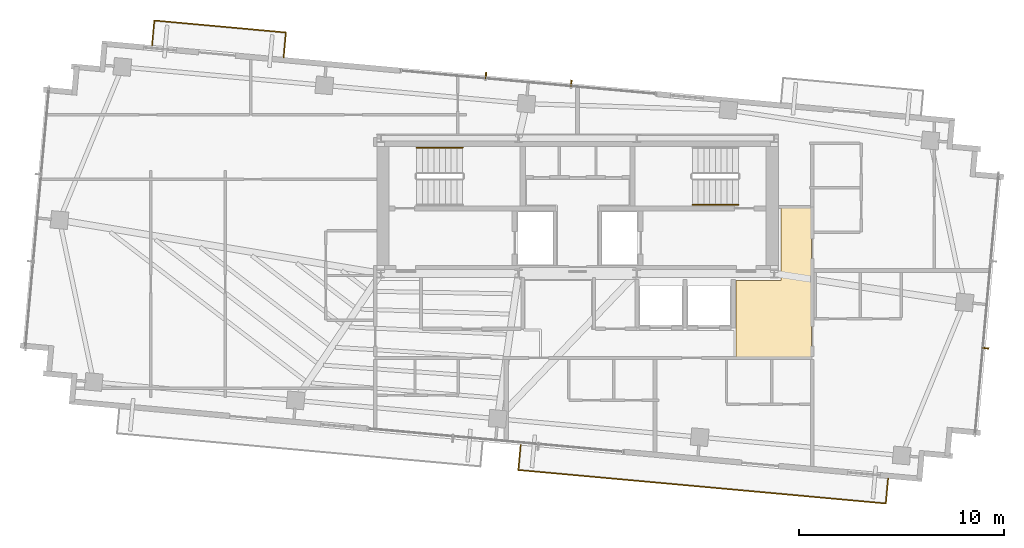
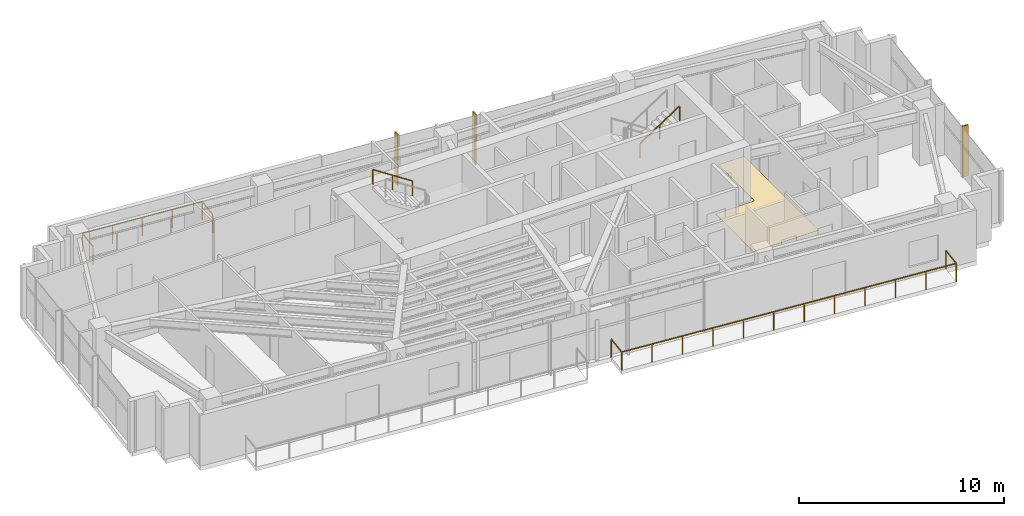
# One storey, part 21 of 22: 4 railings, 3 shading devices, 1 covering.
"""IFC4 building model written with IfcOpenShell, lengths in metres."""

from ifc_helpers import new_model, si_unit, direction, frame, origin, origin_2d, place, context, subcontext, project, spatial, polyline, rectangle, outline, extrude, source, transform, mapped, material, layer, layer_set, type_object, type_shapes, element, save


model = new_model("IFC4")

# Units and contexts
model_context = context("Model", 3, precision=1e-05, world=origin(), true_north=direction((0.0, 1.0)))
body_context = subcontext(model_context, "Body", "Model", "MODEL_VIEW")
ifc_project = project(units=[si_unit("LENGTHUNIT", "METRE"), si_unit("AREAUNIT", "SQUARE_METRE"), si_unit("VOLUMEUNIT", "CUBIC_METRE"), si_unit("PLANEANGLEUNIT", "RADIAN"), si_unit("MASSUNIT", "GRAM", prefix="KILO")], contexts=[model_context])

# Site, building, storey
site_placement = place(None, origin())
site = spatial("IfcSite", under=ifc_project, at=site_placement, CompositionType="ELEMENT")
building_placement = place(site_placement, origin())
building = spatial("IfcBuilding", under=site, at=building_placement, Name="Astriad Promenade Condominiums", CompositionType="ELEMENT")
storey_placement = place(building_placement, frame((0.0, 0.0, 233.10009765625)))
storey = spatial("IfcBuildingStorey", under=building, at=storey_placement, Name="L67", CompositionType="ELEMENT", Elevation=233.10009765625)

# Covering
ifc_material_1 = material(Name="Polished Lakefront Terrazzo Flooring")
ifc_layer = layer(ifc_material_1, 0.02001953125)
ifc_layer_set = layer_set([ifc_layer], Name="Polished Lakefront Terrazzo Flooring")
covering_type = type_object("IfcCoveringType", Name="COV-FLOR-TERRAZZO-20", PredefinedType="FLOORING", material=ifc_layer_set)
covering_placement = place(storey_placement, origin())
element("IfcCovering", 1, at=covering_placement, inside=storey, type_object=covering_type, Name="FLR-L67-COR-2", PredefinedType="FLOORING", context=body_context, shape_type="SweptSolid", body=[
    extrude(outline(polyline([(43.72998046875, 14.62353515625), (43.73095703125, 14.62451171875), (43.7333984375, 14.627685546875), (43.7353515625, 14.631103515625), (43.737060546875, 14.634765625), (43.73828125, 14.638427734375), (43.7392578125, 14.64208984375), (43.73974609375, 14.64599609375), (43.739990234375, 14.64990234375), (43.739990234375, 17.06005859375), (45.89990234375, 17.06005859375), (45.90380859375, 17.060302734375), (45.90771484375, 17.060791015625), (45.91162109375, 17.061767578125), (45.915283203125, 17.06298828125), (45.9189453125, 17.064697265625), (45.922119140625, 17.066650390625), (45.92529296875, 17.069091796875), (45.92822265625, 17.07177734375), (45.930908203125, 17.07470703125), (45.933349609375, 17.077880859375), (45.935302734375, 17.0810546875), (45.93701171875, 17.084716796875), (45.938232421875, 17.08837890625), (45.939208984375, 17.09228515625), (45.939697265625, 17.09619140625), (45.93994140625, 17.10009765625), (45.93994140625, 20.610107421875), (47.409912109375, 20.610107421875), (47.409912109375, 13.320068359375), (43.72998046875, 13.320068359375), (43.72998046875, 14.62353515625)])), origin(), (0.0, 0.0, 1.0), 0.02001953125),
])

# Shading devices
ifc_material_2 = material(Name="Anodised aluminium 6063-T6 Black Fin", Category="aluminium")
shading_device_type = type_object("IfcShadingDeviceType", Name="FIN-BLACK-260", PredefinedType="USERDEFINED", material=ifc_material_2)
shared_shape_1 = source(origin(), body_context, "Body", "SweptSolid", [
    extrude(rectangle(XDim=0.06494140625, YDim=0.320068359375, at=origin_2d()), origin(), (0.0, 0.0, 1.0), 3.0400390625),
])
type_shapes(shading_device_type, [shared_shape_1])
for number, where, z_axis, x_axis, name in (
    (2, (31.526123046875, 27.062744140625, 0.0), (0.0, 0.0, 1.0), (0.995884398616, -0.090632580198, 0.0), "CW-L67-N-FIN-01"),
    (3, (35.68896484375, 26.683837890625, 0.0), (0.0, 0.0, 1.0), (0.995884398616, -0.090632580198, 0.0), "CW-L67-N-FIN-02"),
    (4, (55.920166015625, 13.753662109375, 0.0), (0.0, 0.0, 1.0), (-0.090632580198, -0.995884398616, 0.0), "CW-L67-E-FIN-02"),
):
    element("IfcShadingDevice", number, at=place(storey_placement, frame(where, z_axis=z_axis, x_axis=x_axis)), inside=storey, type_object=shading_device_type, Name=name, ObjectType="FIN", PredefinedType="USERDEFINED", context=body_context, shape_type="MappedRepresentation", body=[
        mapped(shared_shape_1, transform((0.0, 0.0, 0.0), scale=1.0)),
    ])

# Railings
ifc_material_3 = material(Name="Laminated Glass and Stainless Steel Balustrade", Category="steel")
railing_type_1 = type_object("IfcRailingType", Name="GRD-BALC-1120", PredefinedType="BALUSTRADE", material=ifc_material_3)
shared_shape_2 = source(origin(), body_context, "Body", "SweptSolid", [
    extrude(rectangle(XDim=0.048095703125, YDim=0.048095703125, at=origin_2d()), frame((0.0, 0.0, 1.09619140625), z_axis=(-0.09066206129, -0.995881715186, 0.0), x_axis=(0.995881715186, -0.09066206129, 0.0)), (0.0, 0.0, 1.0), 1.219970703125),
    extrude(rectangle(XDim=0.048095703125, YDim=0.048095703125, at=origin_2d()), frame((-0.110595703125, -1.21484375, 1.09619140625), z_axis=(0.995883534543, -0.090642074255, 0.0), x_axis=(0.090642074255, 0.995883534543, 0.0)), (0.0, 0.0, 1.0), 18.01123046875),
    extrude(rectangle(XDim=0.048095703125, YDim=0.048095703125, at=origin_2d()), frame((17.826416015625, -2.847412109375, 1.09619140625), z_axis=(0.090643994769, 0.995883359743, 0.0), x_axis=(-0.995883359743, 0.090643994769, 0.0)), (0.0, 0.0, 1.0), 1.22021484375),
    extrude(rectangle(XDim=0.0419921875, YDim=0.0419921875, at=origin_2d()), origin(), (0.0, 0.0, 1.0), 1.072021484375),
    extrude(rectangle(XDim=0.0419921875, YDim=0.0419921875, at=origin_2d()), frame((-0.110595703125, -1.21484375, 0.0)), (0.0, 0.0, 1.0), 1.072021484375),
    extrude(rectangle(XDim=0.0419921875, YDim=0.0419921875, at=origin_2d()), frame((1.52001953125, -1.36328125, 0.0)), (0.0, 0.0, 1.0), 1.072021484375),
    extrude(rectangle(XDim=0.0419921875, YDim=0.0419921875, at=origin_2d()), frame((3.150634765625, -1.51171875, 0.0)), (0.0, 0.0, 1.0), 1.072021484375),
    extrude(rectangle(XDim=0.0419921875, YDim=0.0419921875, at=origin_2d()), frame((4.78125, -1.66015625, 0.0)), (0.0, 0.0, 1.0), 1.072021484375),
    extrude(rectangle(XDim=0.0419921875, YDim=0.0419921875, at=origin_2d()), frame((6.411865234375, -1.80859375, 0.0)), (0.0, 0.0, 1.0), 1.072021484375),
    extrude(rectangle(XDim=0.0419921875, YDim=0.0419921875, at=origin_2d()), frame((8.04248046875, -1.95703125, 0.0)), (0.0, 0.0, 1.0), 1.072021484375),
    extrude(rectangle(XDim=0.0419921875, YDim=0.0419921875, at=origin_2d()), frame((9.67333984375, -2.105224609375, 0.0)), (0.0, 0.0, 1.0), 1.072021484375),
    extrude(rectangle(XDim=0.0419921875, YDim=0.0419921875, at=origin_2d()), frame((11.303955078125, -2.253662109375, 0.0)), (0.0, 0.0, 1.0), 1.072021484375),
    extrude(rectangle(XDim=0.0419921875, YDim=0.0419921875, at=origin_2d()), frame((12.9345703125, -2.402099609375, 0.0)), (0.0, 0.0, 1.0), 1.072021484375),
    extrude(rectangle(XDim=0.0419921875, YDim=0.0419921875, at=origin_2d()), frame((14.565185546875, -2.550537109375, 0.0)), (0.0, 0.0, 1.0), 1.072021484375),
    extrude(rectangle(XDim=0.0419921875, YDim=0.0419921875, at=origin_2d()), frame((16.19580078125, -2.698974609375, 0.0)), (0.0, 0.0, 1.0), 1.072021484375),
    extrude(rectangle(XDim=0.0419921875, YDim=0.0419921875, at=origin_2d()), frame((17.826416015625, -2.847412109375, 0.0)), (0.0, 0.0, 1.0), 1.072021484375),
    extrude(rectangle(XDim=0.0419921875, YDim=0.0419921875, at=origin_2d()), frame((17.93701171875, -1.63232421875, 0.0)), (0.0, 0.0, 1.0), 1.072021484375),
])
railing_1_placement = place(storey_placement, frame((33.22021484375, 9.02490234375, 0.0)))
element("IfcRailing", 5, at=railing_1_placement, inside=storey, type_object=railing_type_1, Name="GRD-BALC-L67-SE", PredefinedType="BALUSTRADE", context=body_context, shape_type="MappedRepresentation", body=[
    mapped(shared_shape_2, transform((0.0, 0.0, 0.0), scale=1.0)),
])
shared_shape_3 = source(origin(), body_context, "Body", "SweptSolid", [
    extrude(rectangle(XDim=0.048095703125, YDim=0.048095703125, at=origin_2d()), frame((0.0, 0.0, 1.09619140625), z_axis=(0.090643994769, 0.995883359743, 0.0), x_axis=(-0.995883359743, 0.090643994769, 0.0)), (0.0, 0.0, 1.0), 1.22021484375),
    extrude(rectangle(XDim=0.048095703125, YDim=0.048095703125, at=origin_2d()), frame((0.110595703125, 1.215087890625, 1.09619140625), z_axis=(-0.995887310487, 0.090600578427, 0.0), x_axis=(-0.090600578427, -0.995887310487, 0.0)), (0.0, 0.0, 1.0), 6.451171875),
    extrude(rectangle(XDim=0.048095703125, YDim=0.048095703125, at=origin_2d()), frame((-6.31396484375, 1.799560546875, 1.09619140625), z_axis=(-0.090463563939, -0.99589976584, 0.0), x_axis=(0.99589976584, -0.090463563939, 0.0)), (0.0, 0.0, 1.0), 1.2197265625),
    extrude(rectangle(XDim=0.0419921875, YDim=0.0419921875, at=origin_2d()), origin(), (0.0, 0.0, 1.0), 1.072021484375),
    extrude(rectangle(XDim=0.0419921875, YDim=0.0419921875, at=origin_2d()), frame((0.110595703125, 1.215087890625, 0.0)), (0.0, 0.0, 1.0), 1.072021484375),
    extrude(rectangle(XDim=0.0419921875, YDim=0.0419921875, at=origin_2d()), frame((-1.49560546875, 1.361328125, 0.0)), (0.0, 0.0, 1.0), 1.072021484375),
    extrude(rectangle(XDim=0.0419921875, YDim=0.0419921875, at=origin_2d()), frame((-3.1015625, 1.50732421875, 0.0)), (0.0, 0.0, 1.0), 1.072021484375),
    extrude(rectangle(XDim=0.0419921875, YDim=0.0419921875, at=origin_2d()), frame((-4.707763671875, 1.6533203125, 0.0)), (0.0, 0.0, 1.0), 1.072021484375),
    extrude(rectangle(XDim=0.0419921875, YDim=0.0419921875, at=origin_2d()), frame((-6.31396484375, 1.799560546875, 0.0)), (0.0, 0.0, 1.0), 1.072021484375),
    extrude(rectangle(XDim=0.0419921875, YDim=0.0419921875, at=origin_2d()), frame((-6.42431640625, 0.584716796875, 0.0)), (0.0, 0.0, 1.0), 1.072021484375),
])
type_shapes(railing_type_1, [shared_shape_2, shared_shape_3])
railing_2_placement = place(storey_placement, frame((21.656005859375, 27.950927734375, 0.0)))
element("IfcRailing", 6, at=railing_2_placement, inside=storey, type_object=railing_type_1, Name="GRD-BALC-L67-NW", PredefinedType="BALUSTRADE", context=body_context, shape_type="MappedRepresentation", body=[
    mapped(shared_shape_3, transform((0.0, 0.0, 0.0), scale=1.0)),
])
ifc_material_4 = material(Name="Brushed Stainless Steel Handrail", Category="steel")
railing_type_2 = type_object("IfcRailingType", Name="HRL-STAIR-920", PredefinedType="HANDRAIL", material=ifc_material_4)
shared_shape_4 = source(origin(), body_context, "Body", "SweptSolid", [
    extrude(rectangle(XDim=0.048095703125, YDim=0.048095703125, at=origin_2d()), frame((0.0, 0.0, 0.8759765625), z_axis=(0.836636935527, 0.0, 0.547757827979), x_axis=(0.0, 1.0, 0.0)), (0.0, 0.0, 1.0), 2.677490234375),
    extrude(rectangle(XDim=0.0419921875, YDim=0.0419921875, at=origin_2d()), origin(), (0.0, 0.0, 1.0), 0.851806640625),
    extrude(rectangle(XDim=0.0419921875, YDim=0.0419921875, at=origin_2d()), frame((1.1201171875, 0.0, 0.7333984375)), (0.0, 0.0, 1.0), 0.851806640625),
    extrude(rectangle(XDim=0.0419921875, YDim=0.0419921875, at=origin_2d()), frame((2.239990234375, 0.0, 1.466552734375)), (0.0, 0.0, 1.0), 0.851806640625),
])
railing_3_placement = place(storey_placement, frame((41.610107421875, 20.75, 1.833251953125)))
element("IfcRailing", 7, at=railing_3_placement, inside=storey, type_object=railing_type_2, Name="L67 ST-2 stair handrail 2", PredefinedType="HANDRAIL", context=body_context, shape_type="MappedRepresentation", body=[
    mapped(shared_shape_4, transform((0.0, 0.0, 0.0), scale=1.0)),
])
shared_shape_5 = source(origin(), body_context, "Body", "SweptSolid", [
    extrude(rectangle(XDim=0.048095703125, YDim=0.048095703125, at=origin_2d()), frame((0.0, 0.0, 0.8759765625), z_axis=(-0.836636935527, 0.0, 0.547757827979), x_axis=(0.0, -1.0, 0.0)), (0.0, 0.0, 1.0), 2.677490234375),
    extrude(rectangle(XDim=0.0419921875, YDim=0.0419921875, at=origin_2d()), origin(), (0.0, 0.0, 1.0), 0.851806640625),
    extrude(rectangle(XDim=0.0419921875, YDim=0.0419921875, at=origin_2d()), frame((-1.1201171875, 0.0, 0.7333984375)), (0.0, 0.0, 1.0), 0.851806640625),
    extrude(rectangle(XDim=0.0419921875, YDim=0.0419921875, at=origin_2d()), frame((-2.239990234375, 0.0, 1.466552734375)), (0.0, 0.0, 1.0), 0.851806640625),
])
type_shapes(railing_type_2, [shared_shape_4, shared_shape_5])
railing_4_placement = place(storey_placement, frame((30.389892578125, 23.550048828125, 1.833251953125)))
element("IfcRailing", 8, at=railing_4_placement, inside=storey, type_object=railing_type_2, Name="L67 ST-1 stair handrail 2", PredefinedType="HANDRAIL", context=body_context, shape_type="MappedRepresentation", body=[
    mapped(shared_shape_5, transform((0.0, 0.0, 0.0), scale=1.0)),
])

save(model, "model.ifc")
